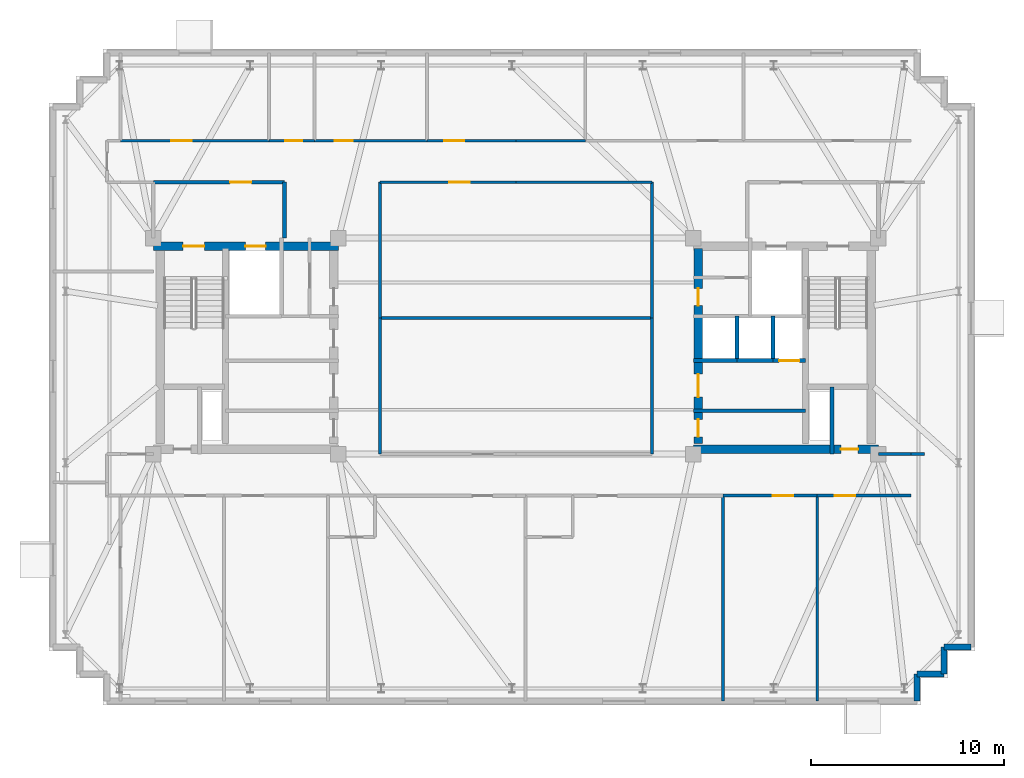
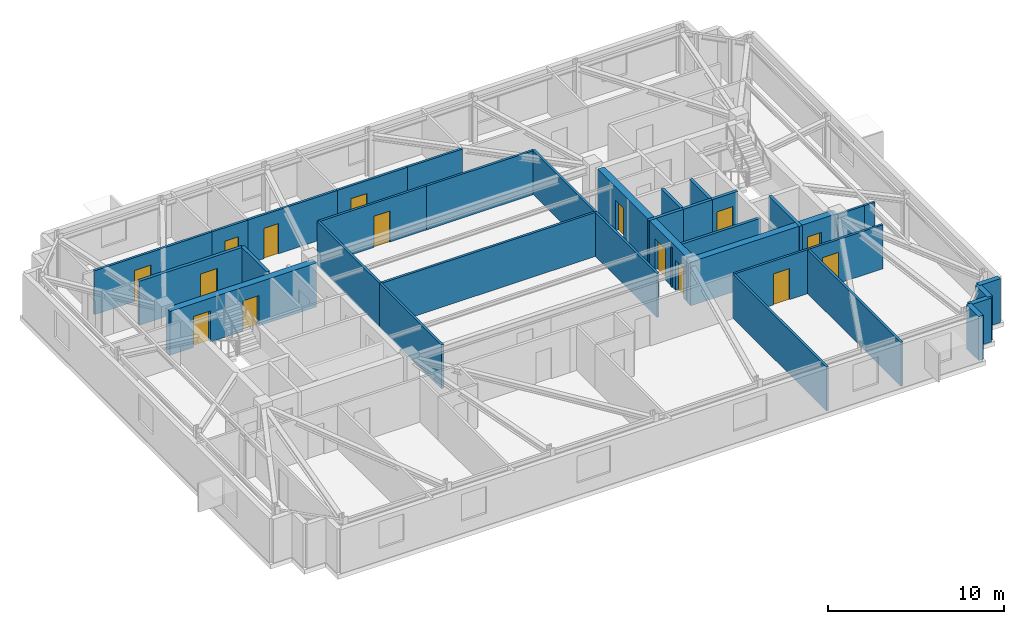
# One storey, part 7 of 11: 34 walls, 15 doors, 15 openings.
"""IFC4 building model written with IfcOpenShell, lengths in metres."""

from ifc_helpers import new_model, si_unit, direction, frame, frame_2d, origin, place, context, subcontext, project, spatial, rectangle, extrude, material, layer, layer_set, type_object, element, fill, save


model = new_model("IFC4")

# Units and contexts
model_context = context("Model", 3, precision=1e-05, world=origin(), true_north=direction((0.0, 1.0)))
body_context = subcontext(model_context, "Body", "Model", "MODEL_VIEW")
ifc_project = project(units=[si_unit("LENGTHUNIT", "METRE"), si_unit("AREAUNIT", "SQUARE_METRE"), si_unit("VOLUMEUNIT", "CUBIC_METRE"), si_unit("PLANEANGLEUNIT", "RADIAN"), si_unit("MASSUNIT", "GRAM", prefix="KILO")], contexts=[model_context])

# Site, building, storey
site_placement = place(None, origin())
site = spatial("IfcSite", under=ifc_project, at=site_placement, CompositionType="ELEMENT")
building_placement = place(site_placement, origin())
building = spatial("IfcBuilding", under=site, at=building_placement, Name="Qobustan Lattice House", CompositionType="ELEMENT")
storey_placement = place(building_placement, frame((0.0, 0.0, 255.10009765625)))
storey = spatial("IfcBuildingStorey", under=building, at=storey_placement, Name="L72", CompositionType="ELEMENT", Elevation=255.10009765625)

# Wall, openings, doors
ifc_material_1 = material(Name="Concrete C50/60", Category="concrete")
ifc_layer_1 = layer(ifc_material_1, 0.43994140625)
ifc_layer_set_1 = layer_set([ifc_layer_1], Name="Concrete C50/60")
wall_type_1 = type_object("IfcWallType", Name="WAL-CORE-440", PredefinedType="SHEAR", material=ifc_layer_set_1)
wall_1_placement = place(storey_placement, frame((-18.800048828125, 5.179931640625, 0.0), z_axis=(0.0, 0.0, 1.0), x_axis=(1.0, 0.0, 0.0)))
wall_1 = element("IfcWall", 1, at=wall_1_placement, inside=storey, type_object=wall_type_1, Name="L72 split-core shear wall CW-N", PredefinedType="SHEAR", context=body_context, shape_type="SweptSolid", body=[
    extrude(rectangle(XDim=9.60009765625, YDim=0.43994140625, at=frame_2d((4.800048828125, 0.0))), origin(), (0.0, 0.0, 1.0), 3.039794921875),
])
opening_1_placement = place(wall_1_placement, frame((1.550048828125, 0.0, 0.0)))
opening_1 = element("IfcOpeningElement", 2, at=opening_1_placement, cuts=wall_1, Name="Opening SD-01", PredefinedType="OPENING", context=body_context, shape_type="SweptSolid", body=[
    extrude(rectangle(XDim=1.10009765625, YDim=2.14990234375, at=frame_2d((0.550048828125, 1.074951171875))), frame((0.0, 0.22998046875, 0.0), z_axis=(0.0, -1.0, 0.0), x_axis=(1.0, 0.0, 0.0)), (0.0, 0.0, 1.0), 0.4599609375),
])
opening_2_placement = place(wall_1_placement, frame((4.77490234375, 0.0, 0.0)))
opening_2 = element("IfcOpeningElement", 3, at=opening_2_placement, cuts=wall_1, Name="Opening LD-01", PredefinedType="OPENING", context=body_context, shape_type="SweptSolid", body=[
    extrude(rectangle(XDim=1.050048828125, YDim=2.10009765625, at=frame_2d((0.52490234375, 1.050048828125))), frame((0.0, 0.22998046875, 0.0), z_axis=(0.0, -1.0, 0.0), x_axis=(1.0, 0.0, 0.0)), (0.0, 0.0, 1.0), 0.4599609375),
])
ifc_material_2 = material(Name="Persian walnut timber and steel frame door", Category="steel")
door_type_1 = type_object("IfcDoorType", Name="DOR-LIFT-LD-1050x2100", OperationType="NOTDEFINED", PredefinedType="DOOR", material=ifc_material_2)
door_1_placement = place(opening_2_placement, origin())
door_1 = element("IfcDoor", 4, at=door_1_placement, inside=storey, type_object=door_type_1, Name="L72 firefighting lift FF-W landing door", OperationType="DOUBLE_DOOR_SLIDING", OverallHeight=2.10009765625, OverallWidth=1.050048828125, PredefinedType="DOOR", context=body_context, shape_type="SweptSolid", body=[
    extrude(rectangle(XDim=1.050048828125, YDim=2.10009765625, at=frame_2d((0.52490234375, 1.050048828125))), frame((0.0, 0.02490234375, 0.0), z_axis=(0.0, -1.0, 0.0), x_axis=(1.0, 0.0, 0.0)), (0.0, 0.0, 1.0), 0.050048828125),
])
fill(opening_2, door_1)
ifc_material_3 = material(Name="Persian walnut timber and steel frame door", Category="steel")
door_type_2 = type_object("IfcDoorType", Name="DOR-STAIR-FD-1100x2150", OperationType="NOTDEFINED", PredefinedType="DOOR", material=ifc_material_3)
door_2_placement = place(opening_1_placement, origin())
door_2 = element("IfcDoor", 5, at=door_2_placement, inside=storey, type_object=door_type_2, Name="L72 exit stair ST-W1 fire door", OperationType="SINGLE_SWING_RIGHT", OverallHeight=2.14990234375, OverallWidth=1.10009765625, PredefinedType="DOOR", context=body_context, shape_type="SweptSolid", body=[
    extrude(rectangle(XDim=1.10009765625, YDim=2.14990234375, at=frame_2d((0.550048828125, 1.074951171875))), frame((0.0, 0.02490234375, 0.0), z_axis=(0.0, -1.0, 0.0), x_axis=(1.0, 0.0, 0.0)), (0.0, 0.0, 1.0), 0.050048828125),
])
fill(opening_1, door_2)

# Wall, opening, door
wall_2_placement = place(storey_placement, frame((9.199951171875, -5.35009765625, 0.0), z_axis=(0.0, 0.0, 1.0), x_axis=(1.0, 0.0, 0.0)))
wall_2 = element("IfcWall", 6, at=wall_2_placement, inside=storey, type_object=wall_type_1, Name="L72 split-core shear wall CE-S", PredefinedType="SHEAR", context=body_context, shape_type="SweptSolid", body=[
    extrude(rectangle(XDim=9.60009765625, YDim=0.43994140625, at=frame_2d((4.800048828125, 0.0))), origin(), (0.0, 0.0, 1.0), 3.039794921875),
])
opening_3_placement = place(wall_2_placement, frame((7.64990234375, 0.0, 0.0)))
opening_3 = element("IfcOpeningElement", 7, at=opening_3_placement, cuts=wall_2, Name="Opening RD-01", PredefinedType="OPENING", context=body_context, shape_type="SweptSolid", body=[
    extrude(rectangle(XDim=0.89990234375, YDim=2.10009765625, at=frame_2d((0.449951171875, 1.050048828125))), frame((0.0, 0.22998046875, 0.0), z_axis=(0.0, -1.0, 0.0), x_axis=(1.0, 0.0, 0.0)), (0.0, 0.0, 1.0), 0.4599609375),
])
ifc_material_4 = material(Name="Persian walnut timber and steel frame door", Category="steel")
door_type_3 = type_object("IfcDoorType", Name="DOR-RISER-FD-900x2100", OperationType="NOTDEFINED", PredefinedType="DOOR", material=ifc_material_4)
door_3_placement = place(opening_3_placement, origin())
door_3 = element("IfcDoor", 8, at=door_3_placement, inside=storey, type_object=door_type_3, Name="L72 core service riser access door E", OperationType="SINGLE_SWING_LEFT", OverallHeight=2.10009765625, OverallWidth=0.89990234375, PredefinedType="DOOR", context=body_context, shape_type="SweptSolid", body=[
    extrude(rectangle(XDim=0.89990234375, YDim=2.10009765625, at=frame_2d((0.449951171875, 1.050048828125))), frame((0.0, 0.02490234375, 0.0), z_axis=(0.0, -1.0, 0.0), x_axis=(1.0, 0.0, 0.0)), (0.0, 0.0, 1.0), 0.050048828125),
])
fill(opening_3, door_3)

# Wall, openings, doors
wall_3_placement = place(storey_placement, frame((9.449951171875, -5.050048828125, 0.0), z_axis=(0.0, 0.0, 1.0), x_axis=(0.0, 1.0, 0.0)))
wall_3 = element("IfcWall", 9, at=wall_3_placement, inside=storey, type_object=wall_type_1, Name="L72 split-core shear wall CE-W", PredefinedType="SHEAR", context=body_context, shape_type="SweptSolid", body=[
    extrude(rectangle(XDim=10.10009765625, YDim=0.43994140625, at=frame_2d((5.050048828125, 0.0))), origin(), (0.0, 0.0, 1.0), 3.039794921875),
])
opening_4_placement = place(wall_3_placement, frame((7.14990234375, 0.0, 0.0)))
opening_4 = element("IfcOpeningElement", 10, at=opening_4_placement, cuts=wall_3, Name="Opening RD-01", PredefinedType="OPENING", context=body_context, shape_type="SweptSolid", body=[
    extrude(rectangle(XDim=0.89990234375, YDim=2.10009765625, at=frame_2d((0.449951171875, 1.050048828125))), frame((0.0, 0.22998046875, 0.0), z_axis=(0.0, -1.0, 0.0), x_axis=(1.0, 0.0, 0.0)), (0.0, 0.0, 1.0), 0.4599609375),
])
opening_5_placement = place(wall_3_placement, frame((2.39990234375, 0.0, 0.0)))
opening_5 = element("IfcOpeningElement", 11, at=opening_5_placement, cuts=wall_3, Name="Opening FD-01", PredefinedType="OPENING", context=body_context, shape_type="SweptSolid", body=[
    extrude(rectangle(XDim=1.199951171875, YDim=2.14990234375, at=frame_2d((0.60009765625, 1.074951171875))), frame((0.0, 0.22998046875, 0.0), z_axis=(0.0, -1.0, 0.0), x_axis=(1.0, 0.0, 0.0)), (0.0, 0.0, 1.0), 0.4599609375),
])
opening_6_placement = place(wall_3_placement, frame((0.35009765625, 0.0, 0.0)))
opening_6 = element("IfcOpeningElement", 12, at=opening_6_placement, cuts=wall_3, Name="Opening RD-01", PredefinedType="OPENING", context=body_context, shape_type="SweptSolid", body=[
    extrude(rectangle(XDim=0.89990234375, YDim=2.10009765625, at=frame_2d((0.449951171875, 1.050048828125))), frame((0.0, 0.22998046875, 0.0), z_axis=(0.0, -1.0, 0.0), x_axis=(1.0, 0.0, 0.0)), (0.0, 0.0, 1.0), 0.4599609375),
])
ifc_material_5 = material(Name="Persian walnut timber and steel frame door", Category="steel")
door_type_4 = type_object("IfcDoorType", Name="DOR-LOBBY-FD-1200x2150", OperationType="NOTDEFINED", PredefinedType="DOOR", material=ifc_material_5)
door_4_placement = place(opening_5_placement, origin())
door_4 = element("IfcDoor", 13, at=door_4_placement, inside=storey, type_object=door_type_4, Name="L72 East passenger lift lobby fire door", OperationType="SINGLE_SWING_LEFT", OverallHeight=2.14990234375, OverallWidth=1.199951171875, PredefinedType="DOOR", context=body_context, shape_type="SweptSolid", body=[
    extrude(rectangle(XDim=1.199951171875, YDim=2.14990234375, at=frame_2d((0.60009765625, 1.074951171875))), frame((0.0, 0.02490234375, 0.0), z_axis=(0.0, -1.0, 0.0), x_axis=(1.0, 0.0, 0.0)), (0.0, 0.0, 1.0), 0.050048828125),
])
fill(opening_5, door_4)
door_5_placement = place(opening_4_placement, origin())
door_5 = element("IfcDoor", 14, at=door_5_placement, inside=storey, type_object=door_type_3, Name="L72 Housekeeping utility foyer fire door", OperationType="SINGLE_SWING_RIGHT", OverallHeight=2.10009765625, OverallWidth=0.89990234375, PredefinedType="DOOR", context=body_context, shape_type="SweptSolid", body=[
    extrude(rectangle(XDim=0.89990234375, YDim=2.10009765625, at=frame_2d((0.449951171875, 1.050048828125))), frame((0.0, 0.02490234375, 0.0), z_axis=(0.0, -1.0, 0.0), x_axis=(1.0, 0.0, 0.0)), (0.0, 0.0, 1.0), 0.050048828125),
])
fill(opening_4, door_5)
door_6_placement = place(opening_6_placement, origin())
door_6 = element("IfcDoor", 15, at=door_6_placement, inside=storey, type_object=door_type_3, Name="L72 Graduate seminar alcove fire door", OperationType="SINGLE_SWING_RIGHT", OverallHeight=2.10009765625, OverallWidth=0.89990234375, PredefinedType="DOOR", context=body_context, shape_type="SweptSolid", body=[
    extrude(rectangle(XDim=0.89990234375, YDim=2.10009765625, at=frame_2d((0.449951171875, 1.050048828125))), frame((0.0, 0.02490234375, 0.0), z_axis=(0.0, -1.0, 0.0), x_axis=(1.0, 0.0, 0.0)), (0.0, 0.0, 1.0), 0.050048828125),
])
fill(opening_6, door_6)

# Walls
ifc_material_6 = material(Name="Precast concrete C40/50", Category="concrete")
ifc_layer_2 = layer(ifc_material_6, 0.320068359375)
ifc_layer_set_2 = layer_set([ifc_layer_2], Name="Precast concrete C40/50")
wall_type_2 = type_object("IfcWallType", Name="WAL-EXT-STONE-320", PredefinedType="SOLIDWALL", material=ifc_layer_set_2)
wall_4_placement = place(storey_placement, frame((23.60009765625, -15.60009765625, 0.0), z_axis=(0.0, 0.0, 1.0), x_axis=(-1.0, 0.0, 0.0)))
element("IfcWall", 16, at=wall_4_placement, inside=storey, type_object=wall_type_2, Name="L72 exterior limestone-clad wall 16", PredefinedType="SOLIDWALL", context=body_context, shape_type="SweptSolid", body=[
    extrude(rectangle(XDim=1.400146484375, YDim=0.320068359375, at=frame_2d((0.7001953125, 0.0))), origin(), (0.0, 0.0, 1.0), 3.039794921875),
])
for number, where, z_axis, x_axis, name in (
    (17, (22.199951171875, -15.60009765625, 0.0), (0.0, 0.0, 1.0), (0.0, -1.0, 0.0), "L72 exterior limestone-clad wall 17"),
    (18, (22.199951171875, -17.0, 0.0), (0.0, 0.0, 1.0), (-1.0, 0.0, 0.0), "L72 exterior limestone-clad wall 18"),
    (19, (20.800048828125, -17.0, 0.0), (0.0, 0.0, 1.0), (0.0, -1.0, 0.0), "L72 exterior limestone-clad wall 19"),
):
    element("IfcWall", number, at=place(storey_placement, frame(where, z_axis=z_axis, x_axis=x_axis)), inside=storey, type_object=wall_type_2, Name=name, PredefinedType="SOLIDWALL", context=body_context, shape_type="SweptSolid", body=[
        extrude(rectangle(XDim=1.39990234375, YDim=0.320068359375, at=frame_2d((0.699951171875, 0.0))), origin(), (0.0, 0.0, 1.0), 3.039794921875),
    ])
ifc_material_7 = material(Name="Gypsum fireboard acoustic partition", Category="gypsum")
ifc_layer_3 = layer(ifc_material_7, 0.179931640625)
ifc_layer_set_3 = layer_set([ifc_layer_3], Name="Gypsum fireboard acoustic partition")
wall_type_3 = type_object("IfcWallType", Name="WAL-FIRE-180", PredefinedType="PARTITIONING", material=ifc_layer_set_3)
wall_5_placement = place(storey_placement, frame((9.199951171875, -3.35009765625, 0.0), z_axis=(0.0, 0.0, 1.0), x_axis=(1.0, 0.0, 0.0)))
element("IfcWall", 20, at=wall_5_placement, inside=storey, type_object=wall_type_3, Name="L72 interior partition 23", PredefinedType="PARTITIONING", context=body_context, shape_type="SweptSolid", body=[
    extrude(rectangle(XDim=5.820068359375, YDim=0.179931640625, at=frame_2d((2.91015625, 0.0))), origin(), (0.0, 0.0, 1.0), 2.7548828125),
])

# Wall, opening, door
ifc_material_8 = material(Name="Acoustic twin-stud gypsum partition", Category="gypsum")
ifc_layer_4 = layer(ifc_material_8, 0.14990234375)
ifc_layer_set_4 = layer_set([ifc_layer_4], Name="Acoustic twin-stud gypsum partition")
wall_type_4 = type_object("IfcWallType", Name="WAL-PART-150", PredefinedType="PARTITIONING", material=ifc_layer_set_4)
wall_6_placement = place(storey_placement, frame((-20.5, 10.64990234375, 0.0), z_axis=(0.0, 0.0, 1.0), x_axis=(1.0, 0.0, 0.0)))
wall_6 = element("IfcWall", 21, at=wall_6_placement, inside=storey, type_object=wall_type_4, Name="L72 interior partition 35", PredefinedType="PARTITIONING", context=body_context, shape_type="SweptSolid", body=[
    extrude(rectangle(XDim=7.699951171875, YDim=0.14990234375, at=frame_2d((3.85009765625, 0.0))), origin(), (0.0, 0.0, 1.0), 3.039794921875),
])
opening_7_placement = place(wall_6_placement, frame((2.638671875, 0.0, 0.0)))
opening_7 = element("IfcOpeningElement", 22, at=opening_7_placement, cuts=wall_6, Name="Opening ID-02", PredefinedType="OPENING", context=body_context, shape_type="SweptSolid", body=[
    extrude(rectangle(XDim=1.050048828125, YDim=2.14990234375, at=frame_2d((0.52490234375, 1.074951171875))), frame((0.0, 0.0849609375, 0.0), z_axis=(0.0, -1.0, 0.0), x_axis=(1.0, 0.0, 0.0)), (0.0, 0.0, 1.0), 0.169921875),
])
ifc_material_9 = material(Name="Persian walnut timber and steel frame door", Category="steel")
door_type_5 = type_object("IfcDoorType", Name="DOR-STUDY-1050x2150", OperationType="NOTDEFINED", PredefinedType="DOOR", material=ifc_material_9)
door_7_placement = place(opening_7_placement, origin())
door_7 = element("IfcDoor", 23, at=door_7_placement, inside=storey, type_object=door_type_5, Name="L72 North-west floor corridor to Focus study room N1 door", OperationType="SINGLE_SWING_RIGHT", OverallHeight=2.14990234375, OverallWidth=1.050048828125, PredefinedType="DOOR", context=body_context, shape_type="SweptSolid", body=[
    extrude(rectangle(XDim=1.050048828125, YDim=2.14990234375, at=frame_2d((0.52490234375, 1.074951171875))), frame((0.0, 0.02490234375, 0.0), z_axis=(0.0, -1.0, 0.0), x_axis=(1.0, 0.0, 0.0)), (0.0, 0.0, 1.0), 0.050048828125),
])
fill(opening_7, door_7)

wall_7_placement = place(storey_placement, frame((-10.449951171875, 10.64990234375, 0.0), z_axis=(0.0, 0.0, 1.0), x_axis=(1.0, 0.0, 0.0)))
wall_7 = element("IfcWall", 24, at=wall_7_placement, inside=storey, type_object=wall_type_4, Name="L72 interior partition 37", PredefinedType="PARTITIONING", context=body_context, shape_type="SweptSolid", body=[
    extrude(rectangle(XDim=5.849853515625, YDim=0.14990234375, at=frame_2d((2.9248046875, 0.0))), origin(), (0.0, 0.0, 1.0), 3.039794921875),
])
opening_8_placement = place(wall_7_placement, frame((1.047607421875, 0.0, 0.0)))
opening_8 = element("IfcOpeningElement", 25, at=opening_8_placement, cuts=wall_7, Name="Opening ID-01", PredefinedType="OPENING", context=body_context, shape_type="SweptSolid", body=[
    extrude(rectangle(XDim=0.949951171875, YDim=2.10009765625, at=frame_2d((0.47509765625, 1.050048828125))), frame((0.0, 0.0849609375, 0.0), z_axis=(0.0, -1.0, 0.0), x_axis=(1.0, 0.0, 0.0)), (0.0, 0.0, 1.0), 0.169921875),
])
ifc_material_10 = material(Name="Persian walnut timber and steel frame door", Category="steel")
door_type_6 = type_object("IfcDoorType", Name="DOR-ROOM-950x2100", OperationType="NOTDEFINED", PredefinedType="DOOR", material=ifc_material_10)
door_8_placement = place(opening_8_placement, origin())
door_8 = element("IfcDoor", 26, at=door_8_placement, inside=storey, type_object=door_type_6, Name="L72 North-west floor corridor to Laundry utility room door", OperationType="SINGLE_SWING_RIGHT", OverallHeight=2.10009765625, OverallWidth=0.949951171875, PredefinedType="DOOR", context=body_context, shape_type="SweptSolid", body=[
    extrude(rectangle(XDim=0.949951171875, YDim=2.10009765625, at=frame_2d((0.47509765625, 1.050048828125))), frame((0.0, 0.02490234375, 0.0), z_axis=(0.0, -1.0, 0.0), x_axis=(1.0, 0.0, 0.0)), (0.0, 0.0, 1.0), 0.050048828125),
])
fill(opening_8, door_8)

wall_8_placement = place(storey_placement, frame((-4.60009765625, 10.64990234375, 0.0), z_axis=(0.0, 0.0, 1.0), x_axis=(1.0, 0.0, 0.0)))
wall_8 = element("IfcWall", 27, at=wall_8_placement, inside=storey, type_object=wall_type_4, Name="L72 interior partition 38", PredefinedType="PARTITIONING", context=body_context, shape_type="SweptSolid", body=[
    extrude(rectangle(XDim=4.60009765625, YDim=0.14990234375, at=frame_2d((2.300048828125, 0.0))), origin(), (0.0, 0.0, 1.0), 3.039794921875),
])
opening_9_placement = place(wall_8_placement, frame((0.87890625, 0.0, 0.0)))
opening_9 = element("IfcOpeningElement", 28, at=opening_9_placement, cuts=wall_8, Name="Opening ID-02", PredefinedType="OPENING", context=body_context, shape_type="SweptSolid", body=[
    extrude(rectangle(XDim=1.050048828125, YDim=2.14990234375, at=frame_2d((0.52490234375, 1.074951171875))), frame((0.0, 0.0849609375, 0.0), z_axis=(0.0, -1.0, 0.0), x_axis=(1.0, 0.0, 0.0)), (0.0, 0.0, 1.0), 0.169921875),
])
door_9_placement = place(opening_9_placement, origin())
door_9 = element("IfcDoor", 29, at=door_9_placement, inside=storey, type_object=door_type_5, Name="L72 North-west floor corridor to Focus study room N3 door", OperationType="SINGLE_SWING_LEFT", OverallHeight=2.14990234375, OverallWidth=1.050048828125, PredefinedType="DOOR", context=body_context, shape_type="SweptSolid", body=[
    extrude(rectangle(XDim=1.050048828125, YDim=2.14990234375, at=frame_2d((0.52490234375, 1.074951171875))), frame((0.0, 0.02490234375, 0.0), z_axis=(0.0, -1.0, 0.0), x_axis=(1.0, 0.0, 0.0)), (0.0, 0.0, 1.0), 0.050048828125),
])
fill(opening_9, door_9)

wall_9_placement = place(storey_placement, frame((0.0, 8.5, 0.0), z_axis=(0.0, 0.0, 1.0), x_axis=(-1.0, 0.0, 0.0)))
wall_9 = element("IfcWall", 30, at=wall_9_placement, inside=storey, type_object=wall_type_4, Name="L72 interior partition 39", PredefinedType="PARTITIONING", context=body_context, shape_type="SweptSolid", body=[
    extrude(rectangle(XDim=7.050048828125, YDim=0.14990234375, at=frame_2d((3.52490234375, 0.0))), origin(), (0.0, 0.0, 1.0), 3.039794921875),
])
opening_10_placement = place(wall_9_placement, frame((2.39501953125, 0.0, 0.0)))
opening_10 = element("IfcOpeningElement", 31, at=opening_10_placement, cuts=wall_9, Name="Opening ID-02", PredefinedType="OPENING", context=body_context, shape_type="SweptSolid", body=[
    extrude(rectangle(XDim=1.050048828125, YDim=2.14990234375, at=frame_2d((0.52490234375, 1.074951171875))), frame((0.0, 0.0849609375, 0.0), z_axis=(0.0, -1.0, 0.0), x_axis=(1.0, 0.0, 0.0)), (0.0, 0.0, 1.0), 0.169921875),
])
door_10_placement = place(opening_10_placement, origin())
door_10 = element("IfcDoor", 32, at=door_10_placement, inside=storey, type_object=door_type_5, Name="L72 North-west floor corridor to Shared social lounge door", OperationType="SINGLE_SWING_RIGHT", OverallHeight=2.14990234375, OverallWidth=1.050048828125, PredefinedType="DOOR", context=body_context, shape_type="SweptSolid", body=[
    extrude(rectangle(XDim=1.050048828125, YDim=2.14990234375, at=frame_2d((0.52490234375, 1.074951171875))), frame((0.0, 0.02490234375, 0.0), z_axis=(0.0, -1.0, 0.0), x_axis=(1.0, 0.0, 0.0)), (0.0, 0.0, 1.0), 0.050048828125),
])
fill(opening_10, door_10)

# Walls
wall_10_placement = place(storey_placement, frame((0.0, 10.64990234375, 0.0), z_axis=(0.0, 0.0, 1.0), x_axis=(1.0, 0.0, 0.0)))
element("IfcWall", 33, at=wall_10_placement, inside=storey, type_object=wall_type_4, Name="L72 interior partition 42", PredefinedType="PARTITIONING", context=body_context, shape_type="SweptSolid", body=[
    extrude(rectangle(XDim=3.60009765625, YDim=0.14990234375, at=frame_2d((1.800048828125, 0.0))), origin(), (0.0, 0.0, 1.0), 3.039794921875),
])
wall_11_placement = place(storey_placement, frame((7.050048828125, 8.5, 0.0), z_axis=(0.0, 0.0, 1.0), x_axis=(-1.0, 0.0, 0.0)))
element("IfcWall", 34, at=wall_11_placement, inside=storey, type_object=wall_type_4, Name="L72 interior partition 45", PredefinedType="PARTITIONING", context=body_context, shape_type="SweptSolid", body=[
    extrude(rectangle(XDim=7.050048828125, YDim=0.14990234375, at=frame_2d((3.52490234375, 0.0))), origin(), (0.0, 0.0, 1.0), 3.039794921875),
])
wall_12_placement = place(storey_placement, frame((18.800048828125, -5.60009765625, 0.0), z_axis=(0.0, 0.0, 1.0), x_axis=(1.0, 0.0, 0.0)))
element("IfcWall", 35, at=wall_12_placement, inside=storey, type_object=wall_type_4, Name="L72 interior partition 56", PredefinedType="PARTITIONING", context=body_context, shape_type="SweptSolid", body=[
    extrude(rectangle(XDim=1.699951171875, YDim=0.14990234375, at=frame_2d((0.85009765625, 0.0))), origin(), (0.0, 0.0, 1.0), 3.039794921875),
])
wall_13_placement = place(storey_placement, frame((20.5, -5.60009765625, 0.0), z_axis=(0.0, 0.0, 1.0), x_axis=(1.0, 0.0, 0.0)))
element("IfcWall", 36, at=wall_13_placement, inside=storey, type_object=wall_type_4, Name="L72 interior partition 57", PredefinedType="PARTITIONING", context=body_context, shape_type="SweptSolid", body=[
    extrude(rectangle(XDim=0.699951171875, YDim=0.14990234375, at=frame_2d((0.35009765625, 0.0))), origin(), (0.0, 0.0, 1.0), 3.039794921875),
])

# Wall, opening, door
wall_14_placement = place(storey_placement, frame((15.625, -7.75, 0.0), z_axis=(0.0, 0.0, 1.0), x_axis=(-1.0, 0.0, 0.0)))
wall_14 = element("IfcWall", 37, at=wall_14_placement, inside=storey, type_object=wall_type_4, Name="L72 interior partition 61", PredefinedType="PARTITIONING", context=body_context, shape_type="SweptSolid", body=[
    extrude(rectangle(XDim=4.875, YDim=0.14990234375, at=frame_2d((2.4375, 0.0))), origin(), (0.0, 0.0, 1.0), 3.039794921875),
])
opening_11_placement = place(wall_14_placement, frame((1.24609375, 0.0, 0.0)))
opening_11 = element("IfcOpeningElement", 38, at=opening_11_placement, cuts=wall_14, Name="Opening ID-02", PredefinedType="OPENING", context=body_context, shape_type="SweptSolid", body=[
    extrude(rectangle(XDim=1.050048828125, YDim=2.14990234375, at=frame_2d((0.52490234375, 1.074951171875))), frame((0.0, 0.0849609375, 0.0), z_axis=(0.0, -1.0, 0.0), x_axis=(1.0, 0.0, 0.0)), (0.0, 0.0, 1.0), 0.169921875),
])
door_11_placement = place(opening_11_placement, origin())
door_11 = element("IfcDoor", 39, at=door_11_placement, inside=storey, type_object=door_type_5, Name="L72 South-east floor corridor to Group study room door", OperationType="SINGLE_SWING_RIGHT", OverallHeight=2.14990234375, OverallWidth=1.050048828125, PredefinedType="DOOR", context=body_context, shape_type="SweptSolid", body=[
    extrude(rectangle(XDim=1.050048828125, YDim=2.14990234375, at=frame_2d((0.52490234375, 1.074951171875))), frame((0.0, 0.02490234375, 0.0), z_axis=(0.0, -1.0, 0.0), x_axis=(1.0, 0.0, 0.0)), (0.0, 0.0, 1.0), 0.050048828125),
])
fill(opening_11, door_11)

wall_15_placement = place(storey_placement, frame((20.5, -7.75, 0.0), z_axis=(0.0, 0.0, 1.0), x_axis=(-1.0, 0.0, 0.0)))
wall_15 = element("IfcWall", 40, at=wall_15_placement, inside=storey, type_object=wall_type_4, Name="L72 interior partition 62", PredefinedType="PARTITIONING", context=body_context, shape_type="SweptSolid", body=[
    extrude(rectangle(XDim=4.875, YDim=0.14990234375, at=frame_2d((2.4375, 0.0))), origin(), (0.0, 0.0, 1.0), 3.039794921875),
])
opening_12_placement = place(wall_15_placement, frame((2.911865234375, 0.0, 0.0)))
opening_12 = element("IfcOpeningElement", 41, at=opening_12_placement, cuts=wall_15, Name="Opening ID-02", PredefinedType="OPENING", context=body_context, shape_type="SweptSolid", body=[
    extrude(rectangle(XDim=1.050048828125, YDim=2.14990234375, at=frame_2d((0.52490234375, 1.074951171875))), frame((0.0, 0.0849609375, 0.0), z_axis=(0.0, -1.0, 0.0), x_axis=(1.0, 0.0, 0.0)), (0.0, 0.0, 1.0), 0.169921875),
])
door_12_placement = place(opening_12_placement, origin())
door_12 = element("IfcDoor", 42, at=door_12_placement, inside=storey, type_object=door_type_5, Name="L72 South-east floor corridor to Academic seminar room door", OperationType="SINGLE_SWING_LEFT", OverallHeight=2.14990234375, OverallWidth=1.050048828125, PredefinedType="DOOR", context=body_context, shape_type="SweptSolid", body=[
    extrude(rectangle(XDim=1.050048828125, YDim=2.14990234375, at=frame_2d((0.52490234375, 1.074951171875))), frame((0.0, 0.02490234375, 0.0), z_axis=(0.0, -1.0, 0.0), x_axis=(1.0, 0.0, 0.0)), (0.0, 0.0, 1.0), 0.050048828125),
])
fill(opening_12, door_12)

# Walls
for number, where, z_axis, x_axis, name in (
    (43, (-7.050048828125, 1.449951171875, 0.0), (0.0, 0.0, 1.0), (0.0, -1.0, 0.0), "L72 interior partition 64"),
    (44, (-7.050048828125, 8.5, 0.0), (0.0, 0.0, 1.0), (0.0, -1.0, 0.0), "L72 interior partition 65"),
    (45, (7.050048828125, -5.60009765625, 0.0), (0.0, 0.0, 1.0), (0.0, 1.0, 0.0), "L72 interior partition 66"),
    (46, (7.050048828125, 1.449951171875, 0.0), (0.0, 0.0, 1.0), (0.0, 1.0, 0.0), "L72 interior partition 67"),
):
    element("IfcWall", number, at=place(storey_placement, frame(where, z_axis=z_axis, x_axis=x_axis)), inside=storey, type_object=wall_type_4, Name=name, PredefinedType="PARTITIONING", context=body_context, shape_type="SweptSolid", body=[
        extrude(rectangle(XDim=7.050048828125, YDim=0.14990234375, at=frame_2d((3.52490234375, 0.0))), origin(), (0.0, 0.0, 1.0), 3.039794921875),
    ])
for number, where, z_axis, x_axis, name in (
    (47, (10.75, -7.75, 0.0), (0.0, 0.0, 1.0), (0.0, -1.0, 0.0), "L72 interior partition 86"),
    (48, (15.625, -7.75, 0.0), (0.0, 0.0, 1.0), (0.0, -1.0, 0.0), "L72 interior partition 87"),
):
    element("IfcWall", number, at=place(storey_placement, frame(where, z_axis=z_axis, x_axis=x_axis)), inside=storey, type_object=wall_type_4, Name=name, PredefinedType="PARTITIONING", context=body_context, shape_type="SweptSolid", body=[
        extrude(rectangle(XDim=10.64990234375, YDim=0.14990234375, at=frame_2d((5.324951171875, 0.0))), origin(), (0.0, 0.0, 1.0), 3.039794921875),
    ])
wall_16_placement = place(storey_placement, frame((-7.050048828125, 1.449951171875, 0.0), z_axis=(0.0, 0.0, 1.0), x_axis=(1.0, 0.0, 0.0)))
element("IfcWall", 49, at=wall_16_placement, inside=storey, type_object=wall_type_4, Name="L72 interior partition 88", PredefinedType="PARTITIONING", context=body_context, shape_type="SweptSolid", body=[
    extrude(rectangle(XDim=14.10009765625, YDim=0.14990234375, at=frame_2d((7.050048828125, 0.0))), origin(), (0.0, 0.0, 1.0), 3.039794921875),
])

# Wall, opening, door
ifc_material_11 = material(Name="Two-hour gypsum fireboard acoustic partition", Category="gypsum")
ifc_layer_5 = layer(ifc_material_11, 0.199951171875)
ifc_layer_set_5 = layer_set([ifc_layer_5], Name="Two-hour gypsum fireboard acoustic partition")
wall_type_5 = type_object("IfcWallType", Name="WAL-PROT-200", PredefinedType="PARTITIONING", material=ifc_layer_set_5)
wall_17_placement = place(storey_placement, frame((-12.0, 8.5, 0.0), z_axis=(0.0, 0.0, 1.0), x_axis=(-1.0, 0.0, 0.0)))
wall_17 = element("IfcWall", 50, at=wall_17_placement, inside=storey, type_object=wall_type_5, Name="L72 interior partition 3", PredefinedType="PARTITIONING", context=body_context, shape_type="SweptSolid", body=[
    extrude(rectangle(XDim=6.800048828125, YDim=0.199951171875, at=frame_2d((3.39990234375, 0.0))), origin(), (0.0, 0.0, 1.0), 3.039794921875),
])
opening_13_placement = place(wall_17_placement, frame((1.715087890625, 0.0, 0.0)))
opening_13 = element("IfcOpeningElement", 51, at=opening_13_placement, cuts=wall_17, Name="Opening SD-01", PredefinedType="OPENING", context=body_context, shape_type="SweptSolid", body=[
    extrude(rectangle(XDim=1.10009765625, YDim=2.14990234375, at=frame_2d((0.550048828125, 1.074951171875))), frame((0.0, 0.10986328125, 0.0), z_axis=(0.0, -1.0, 0.0), x_axis=(1.0, 0.0, 0.0)), (0.0, 0.0, 1.0), 0.219970703125),
])
door_13_placement = place(opening_13_placement, origin())
door_13 = element("IfcDoor", 52, at=door_13_placement, inside=storey, type_object=door_type_2, Name="L72 West firefighting lift lobby to North-west floor corridor door", OperationType="SINGLE_SWING_RIGHT", OverallHeight=2.14990234375, OverallWidth=1.10009765625, PredefinedType="DOOR", context=body_context, shape_type="SweptSolid", body=[
    extrude(rectangle(XDim=1.10009765625, YDim=2.14990234375, at=frame_2d((0.550048828125, 1.074951171875))), frame((0.0, 0.02490234375, 0.0), z_axis=(0.0, -1.0, 0.0), x_axis=(1.0, 0.0, 0.0)), (0.0, 0.0, 1.0), 0.050048828125),
])
fill(opening_13, door_13)

# Walls
wall_18_placement = place(storey_placement, frame((-12.0, 5.60009765625, 0.0), z_axis=(0.0, 0.0, 1.0), x_axis=(0.0, 1.0, 0.0)))
element("IfcWall", 53, at=wall_18_placement, inside=storey, type_object=wall_type_5, Name="L72 interior partition 4", PredefinedType="PARTITIONING", context=body_context, shape_type="SweptSolid", body=[
    extrude(rectangle(XDim=2.89990234375, YDim=0.199951171875, at=frame_2d((1.449951171875, 0.0))), origin(), (0.0, 0.0, 1.0), 3.039794921875),
])
ifc_material_12 = material(Name="Concrete C40/50", Category="concrete")
ifc_layer_6 = layer(ifc_material_12, 0.199951171875)
ifc_layer_set_6 = layer_set([ifc_layer_6], Name="Concrete C40/50")
wall_type_6 = type_object("IfcWallType", Name="WAL-SHAFT-200", PredefinedType="PARTITIONING", material=ifc_layer_set_6)
wall_19_placement = place(storey_placement, frame((16.39990234375, -2.110107421875, 0.0), z_axis=(0.0, 0.0, 1.0), x_axis=(0.0, -1.0, 0.0)))
element("IfcWall", 54, at=wall_19_placement, inside=storey, type_object=wall_type_6, Name="L72 interior partition 15", PredefinedType="PARTITIONING", context=body_context, shape_type="SweptSolid", body=[
    extrude(rectangle(XDim=3.489990234375, YDim=0.199951171875, at=frame_2d((1.7451171875, 0.0))), origin(), (0.0, 0.0, 1.0), 3.039794921875),
])
wall_20_placement = place(storey_placement, frame((11.4599609375, -0.75, 0.0), z_axis=(0.0, 0.0, 1.0), x_axis=(-1.0, 0.0, 0.0)))
element("IfcWall", 55, at=wall_20_placement, inside=storey, type_object=wall_type_6, Name="L72 interior partition 24", PredefinedType="PARTITIONING", context=body_context, shape_type="SweptSolid", body=[
    extrude(rectangle(XDim=2.260009765625, YDim=0.199951171875, at=frame_2d((1.1298828125, 0.0))), origin(), (0.0, 0.0, 1.0), 3.039794921875),
])
wall_21_placement = place(storey_placement, frame((13.340087890625, -0.75, 0.0), z_axis=(0.0, 0.0, 1.0), x_axis=(-1.0, 0.0, 0.0)))
element("IfcWall", 56, at=wall_21_placement, inside=storey, type_object=wall_type_6, Name="L72 interior partition 25", PredefinedType="PARTITIONING", context=body_context, shape_type="SweptSolid", body=[
    extrude(rectangle(XDim=1.880126953125, YDim=0.199951171875, at=frame_2d((0.93994140625, 0.0))), origin(), (0.0, 0.0, 1.0), 3.039794921875),
])

# Wall, opening, door
wall_22_placement = place(storey_placement, frame((15.02001953125, -0.75, 0.0), z_axis=(0.0, 0.0, 1.0), x_axis=(-1.0, 0.0, 0.0)))
wall_22 = element("IfcWall", 57, at=wall_22_placement, inside=storey, type_object=wall_type_6, Name="L72 interior partition 26", PredefinedType="PARTITIONING", context=body_context, shape_type="SweptSolid", body=[
    extrude(rectangle(XDim=1.679931640625, YDim=0.199951171875, at=frame_2d((0.83984375, 0.0))), origin(), (0.0, 0.0, 1.0), 3.039794921875),
])
opening_14_placement = place(wall_22_placement, frame((0.31494140625, 0.0, 0.0)))
opening_14 = element("IfcOpeningElement", 58, at=opening_14_placement, cuts=wall_22, Name="Opening LD-01", PredefinedType="OPENING", context=body_context, shape_type="SweptSolid", body=[
    extrude(rectangle(XDim=1.050048828125, YDim=2.10009765625, at=frame_2d((0.52490234375, 1.050048828125))), frame((0.0, 0.10986328125, 0.0), z_axis=(0.0, -1.0, 0.0), x_axis=(1.0, 0.0, 0.0)), (0.0, 0.0, 1.0), 0.219970703125),
])
door_14_placement = place(opening_14_placement, origin())
door_14 = element("IfcDoor", 59, at=door_14_placement, inside=storey, type_object=door_type_1, Name="L72 lift landing door", OperationType="DOUBLE_DOOR_SLIDING", OverallHeight=2.10009765625, OverallWidth=1.050048828125, PredefinedType="DOOR", context=body_context, shape_type="SweptSolid", body=[
    extrude(rectangle(XDim=1.050048828125, YDim=2.10009765625, at=frame_2d((0.52490234375, 1.050048828125))), frame((0.0, 0.02490234375, 0.0), z_axis=(0.0, -1.0, 0.0), x_axis=(1.0, 0.0, 0.0)), (0.0, 0.0, 1.0), 0.050048828125),
])
fill(opening_14, door_14)

# Walls
for number, where, z_axis, x_axis, name in (
    (60, (11.4599609375, -0.75, 0.0), (0.0, 0.0, 1.0), (0.0, 1.0, 0.0), "L72 interior partition 29"),
    (61, (13.340087890625, -0.75, 0.0), (0.0, 0.0, 1.0), (0.0, 1.0, 0.0), "L72 interior partition 30"),
):
    element("IfcWall", number, at=place(storey_placement, frame(where, z_axis=z_axis, x_axis=x_axis)), inside=storey, type_object=wall_type_6, Name=name, PredefinedType="PARTITIONING", context=body_context, shape_type="SweptSolid", body=[
        extrude(rectangle(XDim=2.300048828125, YDim=0.199951171875, at=frame_2d((1.14990234375, 0.0))), origin(), (0.0, 0.0, 1.0), 3.039794921875),
    ])

# Wall, opening, door
ifc_material_13 = material(Name="Moisture-resistant acoustic plumbing wall", Category="gypsum")
ifc_layer_7 = layer(ifc_material_13, 0.14990234375)
ifc_layer_set_7 = layer_set([ifc_layer_7], Name="Moisture-resistant acoustic plumbing wall")
wall_type_7 = type_object("IfcWallType", Name="WAL-WET-150", PredefinedType="PLUMBINGWALL", material=ifc_layer_set_7)
wall_23_placement = place(storey_placement, frame((-12.800048828125, 10.64990234375, 0.0), z_axis=(0.0, 0.0, 1.0), x_axis=(1.0, 0.0, 0.0)))
wall_23 = element("IfcWall", 62, at=wall_23_placement, inside=storey, type_object=wall_type_7, Name="L72 interior partition 36", PredefinedType="PLUMBINGWALL", context=body_context, shape_type="SweptSolid", body=[
    extrude(rectangle(XDim=2.35009765625, YDim=0.14990234375, at=frame_2d((1.175048828125, 0.0))), origin(), (0.0, 0.0, 1.0), 3.039794921875),
])
opening_15_placement = place(wall_23_placement, frame((0.833740234375, 0.0, 0.0)))
opening_15 = element("IfcOpeningElement", 63, at=opening_15_placement, cuts=wall_23, Name="Opening WD-01", PredefinedType="OPENING", context=body_context, shape_type="SweptSolid", body=[
    extrude(rectangle(XDim=0.89990234375, YDim=2.10009765625, at=frame_2d((0.449951171875, 1.050048828125))), frame((0.0, 0.0849609375, 0.0), z_axis=(0.0, -1.0, 0.0), x_axis=(1.0, 0.0, 0.0)), (0.0, 0.0, 1.0), 0.169921875),
])
ifc_material_14 = material(Name="Persian walnut timber and steel frame door", Category="steel")
door_type_7 = type_object("IfcDoorType", Name="DOR-WET-900x2100", OperationType="NOTDEFINED", PredefinedType="DOOR", material=ifc_material_14)
door_15_placement = place(opening_15_placement, origin())
door_15 = element("IfcDoor", 64, at=door_15_placement, inside=storey, type_object=door_type_7, Name="L72 North-west floor corridor to Accessible WC door", OperationType="SINGLE_SWING_LEFT", OverallHeight=2.10009765625, OverallWidth=0.89990234375, PredefinedType="DOOR", context=body_context, shape_type="SweptSolid", body=[
    extrude(rectangle(XDim=0.89990234375, YDim=2.10009765625, at=frame_2d((0.449951171875, 1.050048828125))), frame((0.0, 0.02490234375, 0.0), z_axis=(0.0, -1.0, 0.0), x_axis=(1.0, 0.0, 0.0)), (0.0, 0.0, 1.0), 0.050048828125),
])
fill(opening_15, door_15)

save(model, "model.ifc")
